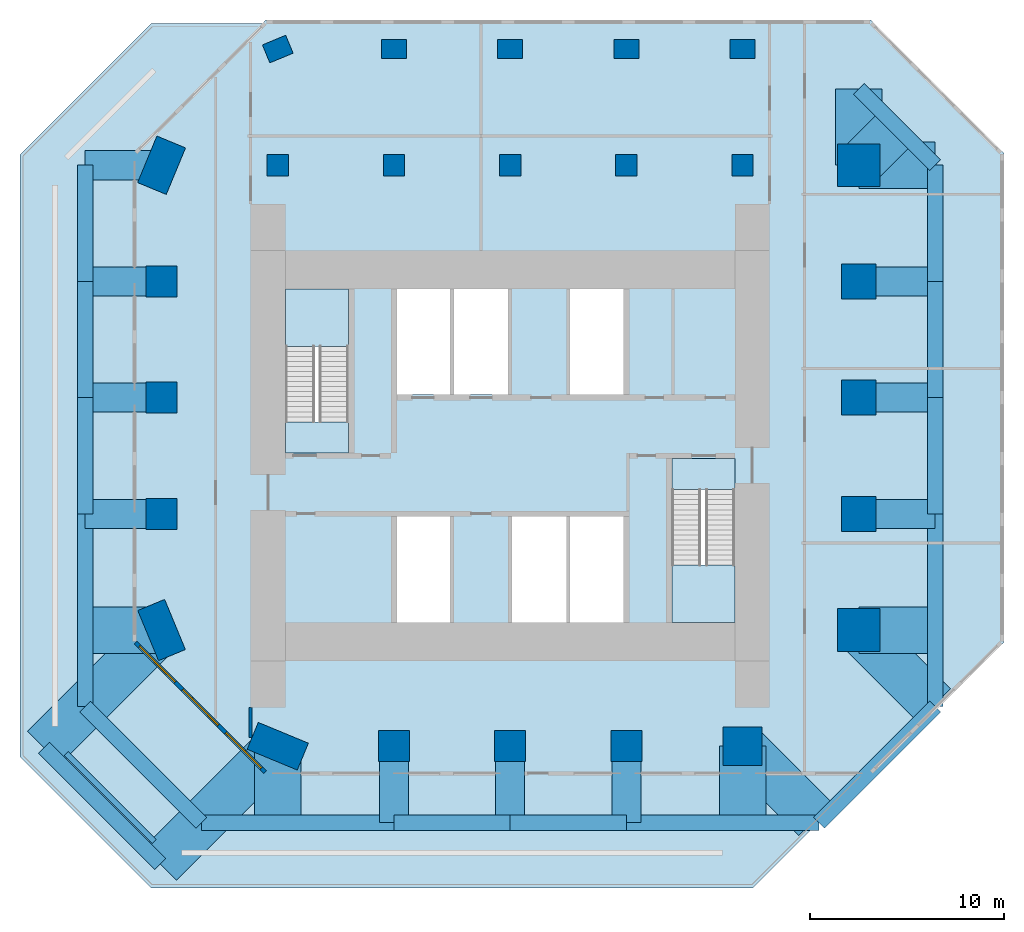
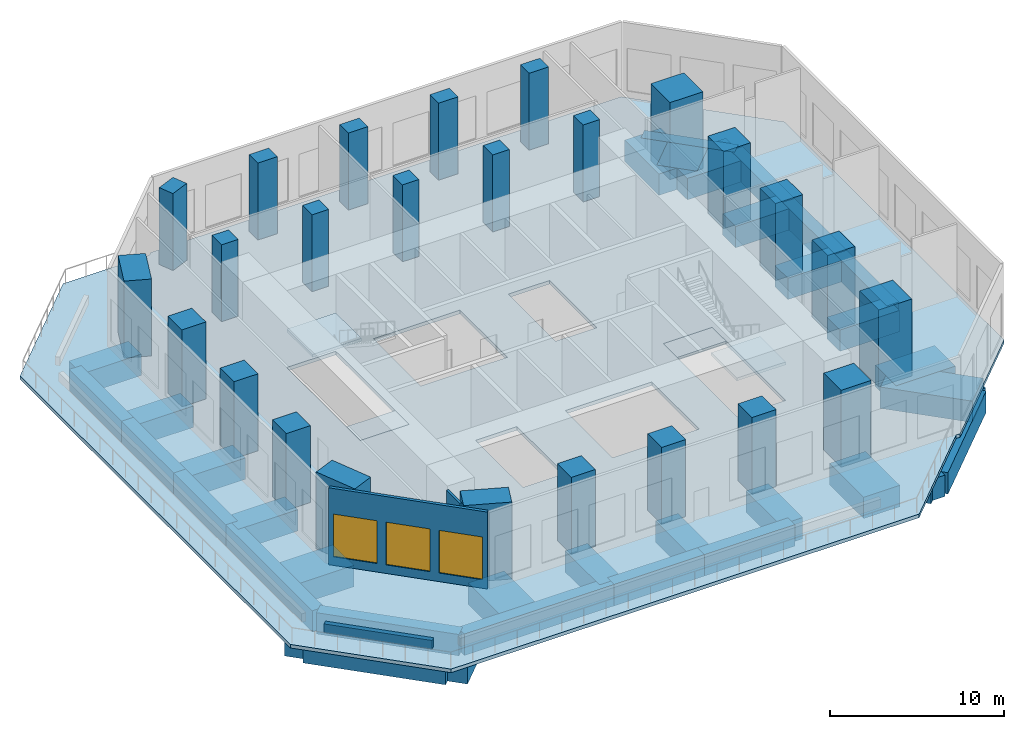
# One storey, part 1 of 6: 37 beams, 25 columns, 5 slabs, 3 walls, 3 windows, 3 openings, 2 elements without a shape of their own.
"""IFC4 building model written with IfcOpenShell, lengths in metres."""

from ifc_helpers import new_model, si_unit, direction, frame, frame_2d, origin, origin_2d, place, context, subcontext, project, spatial, polyline, rectangle, outline, extrude, material, layer, layer_set, material_profile, profile_set, type_object, element, fill, aggregate, save


model = new_model("IFC4")

# Units and contexts
model_context = context("Model", 3, precision=1e-05, world=origin(), true_north=direction((0.0, 1.0)))
body_context = subcontext(model_context, "Body", "Model", "MODEL_VIEW")
ifc_project = project(units=[si_unit("LENGTHUNIT", "METRE"), si_unit("AREAUNIT", "SQUARE_METRE"), si_unit("VOLUMEUNIT", "CUBIC_METRE"), si_unit("PLANEANGLEUNIT", "RADIAN"), si_unit("MASSUNIT", "GRAM", prefix="KILO")], contexts=[model_context])

# Site, building, storey
site_placement = place(None, origin())
site = spatial("IfcSite", under=ifc_project, at=site_placement, CompositionType="ELEMENT")
building_placement = place(site_placement, origin())
building = spatial("IfcBuilding", under=site, at=building_placement, Name="Highveld Stack Headquarters", CompositionType="ELEMENT")
storey_placement = place(building_placement, frame((0.0, 0.0, 239.60009765625)))
storey = spatial("IfcBuildingStorey", under=building, at=storey_placement, Name="L59", CompositionType="ELEMENT", Elevation=239.60009765625)

# Columns
ifc_material_1 = material(Name="Concrete C60/75", Category="concrete")
ifc_material_profile_1 = material_profile(ifc_material_1, rectangle(XDim=1.10009765625, YDim=1.10009765625, at=origin_2d()), Name="RC 1100x1100")
ifc_profile_set_1 = profile_set([ifc_material_profile_1], Name="Concrete C60/75")
column_type_1 = type_object("IfcColumnType", Name="COLUMN RC 1100x1100 C60/75", PredefinedType="COLUMN", material=ifc_profile_set_1)
for number, where, z_axis, x_axis, name in (
    (1, (-6.0, 18.0, 0.0), (0.0, 0.0, 1.0), (1.0, 0.0, 0.0), "Column 5/H L59"),
    (2, (0.0, 18.0, 0.0), (0.0, 0.0, 1.0), (1.0, 0.0, 0.0), "Column 6/H L59"),
    (3, (6.0, 18.0, 0.0), (0.0, 0.0, 1.0), (1.0, 0.0, 0.0), "Column 7/H L59"),
    (4, (12.0, 18.0, 0.0), (0.0, 0.0, 1.0), (1.0, 0.0, 0.0), "Column 8/H L59"),
    (5, (18.0, 18.0, 0.0), (0.0, 0.0, 1.0), (1.0, 0.0, 0.0), "Column 9/H L59"),
):
    element("IfcColumn", number, at=place(storey_placement, frame(where, z_axis=z_axis, x_axis=x_axis)), inside=storey, type_object=column_type_1, Name=name, PredefinedType="COLUMN", context=body_context, shape_type="SweptSolid", body=[
        extrude(rectangle(XDim=1.10009765625, YDim=1.10009765625, at=origin_2d()), origin(), (0.0, 0.0, 1.0), 5.39990234375),
    ])
ifc_material_2 = material(Name="Concrete C60/75", Category="concrete")
ifc_material_profile_2 = material_profile(ifc_material_2, rectangle(XDim=1.300048828125, YDim=1.0, at=origin_2d()), Name="RC 1300x1000")
ifc_profile_set_2 = profile_set([ifc_material_profile_2], Name="Concrete C60/75")
column_type_2 = type_object("IfcColumnType", Name="COLUMN RC 1300x1000 C60/75", PredefinedType="COLUMN", material=ifc_profile_set_2)
for number, where, z_axis, x_axis, name in (
    (6, (-6.0, 24.0, 0.0), (0.0, 0.0, 1.0), (0.923879532511, 0.382683432365, 0.0), "Column 5/J L59"),
    (7, (0.0, 24.0, 0.0), (0.0, 0.0, 1.0), (1.0, 0.0, 0.0), "Column 6/J L59"),
    (8, (6.0, 24.0, 0.0), (0.0, 0.0, 1.0), (1.0, 0.0, 0.0), "Column 7/J L59"),
    (9, (12.0, 24.0, 0.0), (0.0, 0.0, 1.0), (1.0, 0.0, 0.0), "Column 8/J L59"),
    (10, (18.0, 24.0, 0.0), (0.0, 0.0, 1.0), (1.0, 0.0, 0.0), "Column 9/J L59"),
):
    element("IfcColumn", number, at=place(storey_placement, frame(where, z_axis=z_axis, x_axis=x_axis)), inside=storey, type_object=column_type_2, Name=name, PredefinedType="COLUMN", context=body_context, shape_type="SweptSolid", body=[
        extrude(rectangle(XDim=1.300048828125, YDim=1.0, at=origin_2d()), origin(), (0.0, 0.0, 1.0), 5.39990234375),
    ])
ifc_material_3 = material(Name="Concrete C60/75", Category="concrete")
ifc_material_profile_3 = material_profile(ifc_material_3, rectangle(XDim=1.60009765625, YDim=1.60009765625, at=origin_2d()), Name="RC 1600x1600")
ifc_profile_set_3 = profile_set([ifc_material_profile_3], Name="Concrete C60/75")
column_type_3 = type_object("IfcColumnType", Name="COLUMN RC 1600x1600 C60/75", PredefinedType="COLUMN", material=ifc_profile_set_3)
for number, where, z_axis, x_axis, name in (
    (11, (-12.0, 0.0, 0.0), (0.0, 0.0, 1.0), (1.0, 0.0, 0.0), "Column 4/E L59"),
    (12, (-12.0, 6.0, 0.0), (0.0, 0.0, 1.0), (1.0, 0.0, 0.0), "Column 4/F L59"),
    (13, (-12.0, 12.0, 0.0), (0.0, 0.0, 1.0), (1.0, 0.0, 0.0), "Column 4/G L59"),
    (14, (0.0, -12.0, 0.0), (0.0, 0.0, 1.0), (1.0, 0.0, 0.0), "Column 6/C L59"),
    (15, (6.0, -12.0, 0.0), (0.0, 0.0, 1.0), (1.0, 0.0, 0.0), "Column 7/C L59"),
    (16, (12.0, -12.0, 0.0), (0.0, 0.0, 1.0), (1.0, 0.0, 0.0), "Column 8/C L59"),
):
    element("IfcColumn", number, at=place(storey_placement, frame(where, z_axis=z_axis, x_axis=x_axis)), inside=storey, type_object=column_type_3, Name=name, PredefinedType="COLUMN", context=body_context, shape_type="SweptSolid", body=[
        extrude(rectangle(XDim=1.60009765625, YDim=1.60009765625, at=origin_2d()), origin(), (0.0, 0.0, 1.0), 5.39990234375),
    ])
ifc_material_4 = material(Name="Concrete C60/75", Category="concrete")
ifc_material_profile_4 = material_profile(ifc_material_4, rectangle(XDim=1.800048828125, YDim=1.800048828125, at=origin_2d()), Name="RC 1800x1800")
ifc_profile_set_4 = profile_set([ifc_material_profile_4], Name="Concrete C60/75")
column_type_4 = type_object("IfcColumnType", Name="COLUMN RC 1800x1800 C60/75", PredefinedType="COLUMN", material=ifc_profile_set_4)
for number, where, z_axis, x_axis, name in (
    (17, (24.0, 0.0, 0.0), (0.0, 0.0, 1.0), (1.0, 0.0, 0.0), "Column 10/E L59"),
    (18, (24.0, 6.0, 0.0), (0.0, 0.0, 1.0), (1.0, 0.0, 0.0), "Column 10/F L59"),
    (19, (24.0, 12.0, 0.0), (0.0, 0.0, 1.0), (1.0, 0.0, 0.0), "Column 10/G L59"),
):
    element("IfcColumn", number, at=place(storey_placement, frame(where, z_axis=z_axis, x_axis=x_axis)), inside=storey, type_object=column_type_4, Name=name, PredefinedType="COLUMN", context=body_context, shape_type="SweptSolid", body=[
        extrude(rectangle(XDim=1.800048828125, YDim=1.800048828125, at=origin_2d()), origin(), (0.0, 0.0, 1.0), 5.39990234375),
    ])
ifc_material_5 = material(Name="Concrete C60/75", Category="concrete")
ifc_material_profile_5 = material_profile(ifc_material_5, rectangle(XDim=2.0, YDim=2.0, at=origin_2d()), Name="RC 2000x2000")
ifc_profile_set_5 = profile_set([ifc_material_profile_5], Name="Concrete C60/75")
column_type_5 = type_object("IfcColumnType", Name="COLUMN RC 2000x2000 C60/75", PredefinedType="COLUMN", material=ifc_profile_set_5)
column_1_placement = place(storey_placement, frame((18.0, -12.0, 0.0), z_axis=(0.0, 0.0, 1.0), x_axis=(1.0, 0.0, 0.0)))
element("IfcColumn", 20, at=column_1_placement, inside=storey, type_object=column_type_5, Name="Column 9/C L59", PredefinedType="COLUMN", context=body_context, shape_type="SweptSolid", body=[
    extrude(rectangle(XDim=2.0, YDim=2.0, at=origin_2d()), origin(), (0.0, 0.0, 1.0), 5.39990234375),
])
ifc_material_6 = material(Name="Concrete C60/75", Category="concrete")
ifc_material_profile_6 = material_profile(ifc_material_6, rectangle(XDim=2.199951171875, YDim=2.199951171875, at=origin_2d()), Name="RC 2200x2200")
ifc_profile_set_6 = profile_set([ifc_material_profile_6], Name="Concrete C60/75")
column_type_6 = type_object("IfcColumnType", Name="COLUMN RC 2200x2200 C60/75", PredefinedType="COLUMN", material=ifc_profile_set_6)
for number, where, z_axis, x_axis, name in (
    (21, (24.0, -6.0, 0.0), (0.0, 0.0, 1.0), (1.0, 0.0, 0.0), "Column 10/D L59"),
    (22, (24.0, 18.0, 0.0), (0.0, 0.0, 1.0), (1.0, 0.0, 0.0), "Column 10/H L59"),
):
    element("IfcColumn", number, at=place(storey_placement, frame(where, z_axis=z_axis, x_axis=x_axis)), inside=storey, type_object=column_type_6, Name=name, PredefinedType="COLUMN", context=body_context, shape_type="SweptSolid", body=[
        extrude(rectangle(XDim=2.199951171875, YDim=2.199951171875, at=origin_2d()), origin(), (0.0, 0.0, 1.0), 5.39990234375),
    ])
ifc_material_7 = material(Name="Concrete C60/75", Category="concrete")
ifc_material_profile_7 = material_profile(ifc_material_7, rectangle(XDim=2.60009765625, YDim=1.60009765625, at=origin_2d()), Name="RC 2600x1600")
ifc_profile_set_7 = profile_set([ifc_material_profile_7], Name="Concrete C60/75")
column_type_7 = type_object("IfcColumnType", Name="COLUMN RC 2600x1600 C60/75", PredefinedType="COLUMN", material=ifc_profile_set_7)
column_2_placement = place(storey_placement, frame((-12.0, 18.0, 0.0), z_axis=(0.0, 0.0, 1.0), x_axis=(0.382683432365, 0.923879532511, 0.0)))
element("IfcColumn", 23, at=column_2_placement, inside=storey, type_object=column_type_7, Name="Column 4/H L59", PredefinedType="COLUMN", context=body_context, shape_type="SweptSolid", body=[
    extrude(rectangle(XDim=2.60009765625, YDim=1.60009765625, at=origin_2d()), origin(), (0.0, 0.0, 1.0), 5.39990234375),
])
ifc_material_8 = material(Name="Concrete C60/75", Category="concrete")
ifc_material_profile_8 = material_profile(ifc_material_8, rectangle(XDim=2.800048828125, YDim=1.5, at=origin_2d()), Name="RC 2800x1500")
ifc_profile_set_8 = profile_set([ifc_material_profile_8], Name="Concrete C60/75")
column_type_8 = type_object("IfcColumnType", Name="COLUMN RC 2800x1500 C60/75", PredefinedType="COLUMN", material=ifc_profile_set_8)
for number, where, z_axis, x_axis, name in (
    (24, (-12.0, -6.0, 0.0), (0.0, 0.0, 1.0), (-0.382683432365, 0.923879532511, 0.0), "Column 4/D L59"),
    (25, (-6.0, -12.0, 0.0), (0.0, 0.0, 1.0), (-0.923879532511, 0.382683432365, 0.0), "Column 5/C L59"),
):
    element("IfcColumn", number, at=place(storey_placement, frame(where, z_axis=z_axis, x_axis=x_axis)), inside=storey, type_object=column_type_8, Name=name, PredefinedType="COLUMN", context=body_context, shape_type="SweptSolid", body=[
        extrude(rectangle(XDim=2.800048828125, YDim=1.5, at=origin_2d()), origin(), (0.0, 0.0, 1.0), 5.39990234375),
    ])

# Beams
ifc_material_9 = material(Name="Concrete C60/75", Category="concrete")
ifc_material_profile_9 = material_profile(ifc_material_9, rectangle(XDim=1.5, YDim=1.5, at=origin_2d()), Name="RC 1500x1500")
ifc_profile_set_9 = profile_set([ifc_material_profile_9], Name="Concrete C60/75")
beam_type_1 = type_object("IfcBeamType", Name="CANTILEVER RIB RC 1500x1500", PredefinedType="USERDEFINED", material=ifc_profile_set_9)
for number, where, z_axis, x_axis, name in (
    (26, (-12.0, 0.0, -1.0), (-1.0, 0.0, 0.0), (0.0, -1.0, 0.0), "Cantilever rib 4/E L59"),
    (27, (-12.0, 6.0, -1.0), (-1.0, 0.0, 0.0), (0.0, -1.0, 0.0), "Cantilever rib 4/F L59"),
    (28, (-12.0, 12.0, -1.0), (-1.0, 0.0, 0.0), (0.0, -1.0, 0.0), "Cantilever rib 4/G L59"),
    (29, (-12.0, 18.0, -1.0), (-1.0, 0.0, 0.0), (0.0, -1.0, 0.0), "Cantilever rib 4/H L59"),
    (30, (0.0, -12.0, -1.0), (0.0, -1.0, 0.0), (1.0, 0.0, 0.0), "Cantilever rib 6/C L59"),
    (31, (6.0, -12.0, -1.0), (0.0, -1.0, 0.0), (1.0, 0.0, 0.0), "Cantilever rib 7/C L59"),
    (32, (12.0, -12.0, -1.0), (0.0, -1.0, 0.0), (1.0, 0.0, 0.0), "Cantilever rib 8/C L59"),
    (33, (24.0, 0.0, -1.0), (1.0, 0.0, 0.0), (0.0, 1.0, 0.0), "Cantilever rib 10/E L59"),
    (34, (24.0, 6.0, -1.0), (1.0, 0.0, 0.0), (0.0, 1.0, 0.0), "Cantilever rib 10/F L59"),
    (35, (24.0, 12.0, -1.0), (1.0, 0.0, 0.0), (0.0, 1.0, 0.0), "Cantilever rib 10/G L59"),
):
    element("IfcBeam", number, at=place(storey_placement, frame(where, z_axis=z_axis, x_axis=x_axis)), inside=storey, type_object=beam_type_1, Name=name, ObjectType="CANTILEVER RIB", PredefinedType="USERDEFINED", context=body_context, shape_type="SweptSolid", body=[
        extrude(rectangle(XDim=1.5, YDim=1.5, at=origin_2d()), origin(), (0.0, 0.0, 1.0), 3.949951171875),
    ])
ifc_material_10 = material(Name="Concrete C60/75", Category="concrete")
ifc_material_profile_10 = material_profile(ifc_material_10, rectangle(XDim=2.39990234375, YDim=1.5, at=origin_2d()), Name="RC 2400x1500")
ifc_profile_set_10 = profile_set([ifc_material_profile_10], Name="Concrete C60/75")
beam_type_2 = type_object("IfcBeamType", Name="CANTILEVER RIB RC 2400x1500", PredefinedType="USERDEFINED", material=ifc_profile_set_10)
beam_1_placement = place(storey_placement, frame((-12.0, -6.0, -1.0), z_axis=(-1.0, 0.0, 0.0), x_axis=(0.0, -1.0, 0.0)))
element("IfcBeam", 36, at=beam_1_placement, inside=storey, type_object=beam_type_2, Name="Cantilever rib 4/D L59", ObjectType="CANTILEVER RIB", PredefinedType="USERDEFINED", context=body_context, shape_type="SweptSolid", body=[
    extrude(rectangle(XDim=2.39990234375, YDim=1.5, at=origin_2d()), origin(), (0.0, 0.0, 1.0), 3.949951171875),
])
beam_2_placement = place(storey_placement, frame((-12.0, -6.0, -1.0), z_axis=(-0.707106781187, -0.707106781187, 0.0), x_axis=(0.707106781187, -0.707106781187, 0.0)))
element("IfcBeam", 37, at=beam_2_placement, inside=storey, type_object=beam_type_2, Name="Cantilever rib 4/D L59", ObjectType="CANTILEVER RIB", PredefinedType="USERDEFINED", context=body_context, shape_type="SweptSolid", body=[
    extrude(rectangle(XDim=2.39990234375, YDim=1.5, at=origin_2d()), origin(), (0.0, 0.0, 1.0), 8.585693359375),
])
beam_3_placement = place(storey_placement, frame((-6.0, -12.0, -1.0), z_axis=(0.0, -1.0, 0.0), x_axis=(1.0, 0.0, 0.0)))
element("IfcBeam", 38, at=beam_3_placement, inside=storey, type_object=beam_type_2, Name="Cantilever rib 5/C L59", ObjectType="CANTILEVER RIB", PredefinedType="USERDEFINED", context=body_context, shape_type="SweptSolid", body=[
    extrude(rectangle(XDim=2.39990234375, YDim=1.5, at=origin_2d()), origin(), (0.0, 0.0, 1.0), 3.949951171875),
])
beam_4_placement = place(storey_placement, frame((-6.0, -12.0, -1.0), z_axis=(-0.707106781187, -0.707106781187, 0.0), x_axis=(0.707106781187, -0.707106781187, 0.0)))
element("IfcBeam", 39, at=beam_4_placement, inside=storey, type_object=beam_type_2, Name="Cantilever rib 5/C L59", ObjectType="CANTILEVER RIB", PredefinedType="USERDEFINED", context=body_context, shape_type="SweptSolid", body=[
    extrude(rectangle(XDim=2.39990234375, YDim=1.5, at=origin_2d()), origin(), (0.0, 0.0, 1.0), 8.585693359375),
])
beam_5_placement = place(storey_placement, frame((18.0, -12.0, -1.0), z_axis=(0.0, -1.0, 0.0), x_axis=(1.0, 0.0, 0.0)))
element("IfcBeam", 40, at=beam_5_placement, inside=storey, type_object=beam_type_2, Name="Cantilever rib 9/C L59", ObjectType="CANTILEVER RIB", PredefinedType="USERDEFINED", context=body_context, shape_type="SweptSolid", body=[
    extrude(rectangle(XDim=2.39990234375, YDim=1.5, at=origin_2d()), origin(), (0.0, 0.0, 1.0), 3.949951171875),
])
beam_6_placement = place(storey_placement, frame((18.0, -12.0, -1.0), z_axis=(0.707106781187, -0.707106781187, 0.0), x_axis=(0.707106781187, 0.707106781187, 0.0)))
element("IfcBeam", 41, at=beam_6_placement, inside=storey, type_object=beam_type_2, Name="Cantilever rib 9/C L59", ObjectType="CANTILEVER RIB", PredefinedType="USERDEFINED", context=body_context, shape_type="SweptSolid", body=[
    extrude(rectangle(XDim=2.39990234375, YDim=1.5, at=origin_2d()), origin(), (0.0, 0.0, 1.0), 5.30322265625),
])
beam_7_placement = place(storey_placement, frame((24.0, -6.0, -1.0), z_axis=(1.0, 0.0, 0.0), x_axis=(0.0, 1.0, 0.0)))
element("IfcBeam", 42, at=beam_7_placement, inside=storey, type_object=beam_type_2, Name="Cantilever rib 10/D L59", ObjectType="CANTILEVER RIB", PredefinedType="USERDEFINED", context=body_context, shape_type="SweptSolid", body=[
    extrude(rectangle(XDim=2.39990234375, YDim=1.5, at=origin_2d()), origin(), (0.0, 0.0, 1.0), 3.949951171875),
])
beam_8_placement = place(storey_placement, frame((24.0, -6.0, -1.0), z_axis=(0.707106781187, -0.707106781187, 0.0), x_axis=(0.707106781187, 0.707106781187, 0.0)))
element("IfcBeam", 43, at=beam_8_placement, inside=storey, type_object=beam_type_2, Name="Cantilever rib 10/D L59", ObjectType="CANTILEVER RIB", PredefinedType="USERDEFINED", context=body_context, shape_type="SweptSolid", body=[
    extrude(rectangle(XDim=2.39990234375, YDim=1.5, at=origin_2d()), origin(), (0.0, 0.0, 1.0), 5.492919921875),
])
for number, where, z_axis, x_axis, name in (
    (44, (24.0, 18.0, -1.0), (1.0, 0.0, 0.0), (0.0, 1.0, 0.0), "Cantilever rib 10/H L59"),
    (45, (24.0, 18.0, -1.0), (0.0, 1.0, 0.0), (-1.0, 0.0, 0.0), "Cantilever rib 10/H L59"),
):
    element("IfcBeam", number, at=place(storey_placement, frame(where, z_axis=z_axis, x_axis=x_axis)), inside=storey, type_object=beam_type_2, Name=name, ObjectType="CANTILEVER RIB", PredefinedType="USERDEFINED", context=body_context, shape_type="SweptSolid", body=[
        extrude(rectangle(XDim=2.39990234375, YDim=1.5, at=origin_2d()), origin(), (0.0, 0.0, 1.0), 3.949951171875),
    ])
beam_9_placement = place(storey_placement, frame((24.0, 18.0, -1.0), z_axis=(0.707106781187, 0.707106781187, 0.0), x_axis=(-0.707106781187, 0.707106781187, 0.0)))
element("IfcBeam", 46, at=beam_9_placement, inside=storey, type_object=beam_type_2, Name="Cantilever rib 10/H L59", ObjectType="CANTILEVER RIB", PredefinedType="USERDEFINED", context=body_context, shape_type="SweptSolid", body=[
    extrude(rectangle(XDim=2.39990234375, YDim=1.5, at=origin_2d()), origin(), (0.0, 0.0, 1.0), 2.793212890625),
])
ifc_material_11 = material(Name="Concrete C60/75", Category="concrete")
ifc_material_profile_11 = material_profile(ifc_material_11, rectangle(XDim=0.800048828125, YDim=1.5, at=origin_2d()), Name="RC 800x1500")
ifc_profile_set_11 = profile_set([ifc_material_profile_11], Name="Concrete C60/75")
beam_type_3 = type_object("IfcBeamType", Name="RIB TIP BEAM RC 800x1500", PredefinedType="SPANDREL", material=ifc_profile_set_11)
beam_10_placement = place(storey_placement, frame((-15.949951171875, -9.949951171875, -1.0), z_axis=(0.0, 1.0, 0.0), x_axis=(-1.0, 0.0, 0.0)))
element("IfcBeam", 47, at=beam_10_placement, inside=storey, type_object=beam_type_3, Name="Rib tip beam 4/D to 4/E L59", PredefinedType="SPANDREL", context=body_context, shape_type="SweptSolid", body=[
    extrude(rectangle(XDim=0.800048828125, YDim=1.5, at=origin_2d()), origin(), (0.0, 0.0, 1.0), 9.949951171875),
])
for number, where, z_axis, x_axis, name in (
    (48, (-15.949951171875, 0.0, -1.0), (0.0, 1.0, 0.0), (-1.0, 0.0, 0.0), "Rib tip beam 4/E to 4/F L59"),
    (49, (-15.949951171875, 6.0, -1.0), (0.0, 1.0, 0.0), (-1.0, 0.0, 0.0), "Rib tip beam 4/F to 4/G L59"),
    (50, (-15.949951171875, 12.0, -1.0), (0.0, 1.0, 0.0), (-1.0, 0.0, 0.0), "Rib tip beam 4/G to 4/H L59"),
):
    element("IfcBeam", number, at=place(storey_placement, frame(where, z_axis=z_axis, x_axis=x_axis)), inside=storey, type_object=beam_type_3, Name=name, PredefinedType="SPANDREL", context=body_context, shape_type="SweptSolid", body=[
        extrude(rectangle(XDim=0.800048828125, YDim=1.5, at=origin_2d()), origin(), (0.0, 0.0, 1.0), 6.0),
    ])
beam_11_placement = place(storey_placement, frame((27.949951171875, -9.949951171875, -1.0), z_axis=(0.0, 1.0, 0.0), x_axis=(-1.0, 0.0, 0.0)))
element("IfcBeam", 51, at=beam_11_placement, inside=storey, type_object=beam_type_3, Name="Rib tip beam 10/D to 10/E L59", PredefinedType="SPANDREL", context=body_context, shape_type="SweptSolid", body=[
    extrude(rectangle(XDim=0.800048828125, YDim=1.5, at=origin_2d()), origin(), (0.0, 0.0, 1.0), 9.949951171875),
])
for number, where, z_axis, x_axis, name in (
    (52, (27.949951171875, 0.0, -1.0), (0.0, 1.0, 0.0), (-1.0, 0.0, 0.0), "Rib tip beam 10/E to 10/F L59"),
    (53, (27.949951171875, 6.0, -1.0), (0.0, 1.0, 0.0), (-1.0, 0.0, 0.0), "Rib tip beam 10/F to 10/G L59"),
    (54, (27.949951171875, 12.0, -1.0), (0.0, 1.0, 0.0), (-1.0, 0.0, 0.0), "Rib tip beam 10/G to 10/H L59"),
):
    element("IfcBeam", number, at=place(storey_placement, frame(where, z_axis=z_axis, x_axis=x_axis)), inside=storey, type_object=beam_type_3, Name=name, PredefinedType="SPANDREL", context=body_context, shape_type="SweptSolid", body=[
        extrude(rectangle(XDim=0.800048828125, YDim=1.5, at=origin_2d()), origin(), (0.0, 0.0, 1.0), 6.0),
    ])
beam_12_placement = place(storey_placement, frame((-9.949951171875, -15.949951171875, -1.0), z_axis=(1.0, 0.0, 0.0), x_axis=(0.0, 1.0, 0.0)))
element("IfcBeam", 55, at=beam_12_placement, inside=storey, type_object=beam_type_3, Name="Rib tip beam 5/C to 6/C L59", PredefinedType="SPANDREL", context=body_context, shape_type="SweptSolid", body=[
    extrude(rectangle(XDim=0.800048828125, YDim=1.5, at=origin_2d()), origin(), (0.0, 0.0, 1.0), 9.949951171875),
])
for number, where, z_axis, x_axis, name in (
    (56, (0.0, -15.949951171875, -1.0), (1.0, 0.0, 0.0), (0.0, 1.0, 0.0), "Rib tip beam 6/C to 7/C L59"),
    (57, (6.0, -15.949951171875, -1.0), (1.0, 0.0, 0.0), (0.0, 1.0, 0.0), "Rib tip beam 7/C to 8/C L59"),
):
    element("IfcBeam", number, at=place(storey_placement, frame(where, z_axis=z_axis, x_axis=x_axis)), inside=storey, type_object=beam_type_3, Name=name, PredefinedType="SPANDREL", context=body_context, shape_type="SweptSolid", body=[
        extrude(rectangle(XDim=0.800048828125, YDim=1.5, at=origin_2d()), origin(), (0.0, 0.0, 1.0), 6.0),
    ])
beam_13_placement = place(storey_placement, frame((12.0, -15.949951171875, -1.0), z_axis=(1.0, 0.0, 0.0), x_axis=(0.0, 1.0, 0.0)))
element("IfcBeam", 58, at=beam_13_placement, inside=storey, type_object=beam_type_3, Name="Rib tip beam 8/C to 9/C L59", PredefinedType="SPANDREL", context=body_context, shape_type="SweptSolid", body=[
    extrude(rectangle(XDim=0.800048828125, YDim=1.5, at=origin_2d()), origin(), (0.0, 0.0, 1.0), 9.949951171875),
])
for number, where, z_axis, x_axis, name in (
    (59, (-15.949951171875, -9.949951171875, -1.0), (0.707106781187, -0.707106781187, 0.0), (0.707106781187, 0.707106781187, 0.0), "Rib tip beam 4/D to 5/C chamfer L59"),
    (60, (-18.071044921875, -12.071044921875, -1.0), (0.707106781187, -0.707106781187, 0.0), (0.707106781187, 0.707106781187, 0.0), "Rib tip beam 4/D to 5/C chamfer edge L59"),
    (61, (21.949951171875, -15.949951171875, -1.0), (0.707106781187, 0.707106781187, 0.0), (-0.707106781187, 0.707106781187, 0.0), "Rib tip beam 9/C to 10/D chamfer L59"),
):
    element("IfcBeam", number, at=place(storey_placement, frame(where, z_axis=z_axis, x_axis=x_axis)), inside=storey, type_object=beam_type_3, Name=name, PredefinedType="SPANDREL", context=body_context, shape_type="SweptSolid", body=[
        extrude(rectangle(XDim=0.800048828125, YDim=1.5, at=origin_2d()), origin(), (0.0, 0.0, 1.0), 8.4853515625),
    ])
beam_14_placement = place(storey_placement, frame((27.949951171875, 18.0, -1.0), z_axis=(-0.707106781187, 0.707106781187, 0.0), x_axis=(-0.707106781187, -0.707106781187, 0.0)))
element("IfcBeam", 62, at=beam_14_placement, inside=storey, type_object=beam_type_3, Name="Rib tip beam 10/H corner L59", PredefinedType="SPANDREL", context=body_context, shape_type="SweptSolid", body=[
    extrude(rectangle(XDim=0.800048828125, YDim=1.5, at=origin_2d()), origin(), (0.0, 0.0, 1.0), 5.586181640625),
])

# Slab
ifc_material_12 = material(Name="Concrete C60/75", Category="concrete")
ifc_layer_1 = layer(ifc_material_12, 0.25)
ifc_layer_set_1 = layer_set([ifc_layer_1], Name="Concrete C60/75")
slab_type_1 = type_object("IfcSlabType", Name="PT FLAT SLAB 250", PredefinedType="FLOOR", material=ifc_layer_set_1)
slab_1_placement = place(storey_placement, frame((0.0, 0.0, -0.25)))
element("IfcSlab", 63, at=slab_1_placement, inside=storey, type_object=slab_type_1, Name="Floor slab L59", PredefinedType="FLOOR", context=body_context, shape_type="SweptSolid", body=[
    extrude(outline(polyline([(-6.621337890625, 25.5), (24.621337890625, 25.5), (31.5, 18.621337890625), (31.5, -6.621337890625), (24.621337890625, -13.5), (24.3525390625, -13.5), (18.54248046875, -19.31005859375), (-12.54248046875, -19.31005859375), (-19.31005859375, -12.54248046875), (-19.31005859375, 18.54248046875), (-12.54248046875, 25.31005859375), (-6.811279296875, 25.31005859375), (-6.621337890625, 25.5)]), holes=[polyline([(0.14990234375, 6.14990234375), (5.89990234375, 6.14990234375), (5.89990234375, 11.60009765625), (0.14990234375, 11.60009765625), (0.14990234375, 6.14990234375)]), polyline([(9.10009765625, 6.14990234375), (11.85009765625, 6.14990234375), (11.85009765625, 11.60009765625), (9.10009765625, 11.60009765625), (9.10009765625, 6.14990234375)]), polyline([(6.10009765625, -5.60009765625), (11.85009765625, -5.60009765625), (11.85009765625, -0.14990234375), (6.10009765625, -0.14990234375), (6.10009765625, -5.60009765625)]), polyline([(0.14990234375, -5.60009765625), (2.89990234375, -5.60009765625), (2.89990234375, -0.14990234375), (0.14990234375, -0.14990234375), (0.14990234375, -5.60009765625)]), polyline([(-5.60009765625, 3.14990234375), (-2.35009765625, 3.14990234375), (-2.35009765625, 11.60009765625), (-5.60009765625, 11.60009765625), (-5.60009765625, 3.14990234375)]), polyline([(14.35009765625, -5.60009765625), (17.60009765625, -5.60009765625), (17.60009765625, 2.85009765625), (14.35009765625, 2.85009765625), (14.35009765625, -5.60009765625)])]), origin(), (0.0, 0.0, 1.0), 0.25),
])

# Stair, slabs
ifc_material_13 = material(Name="Concrete C40/50, precast", Category="concrete")
stair_type_1 = type_object("IfcStairType", Name="STAIR S1 HALF TURN 1500", PredefinedType="HALF_TURN_STAIR", material=ifc_material_13)
stair_1_placement = place(storey_placement, origin())
stair_1 = element("IfcStair", 64, at=stair_1_placement, inside=storey, type_object=stair_type_1, Name="Stair S1 L59", PredefinedType="HALF_TURN_STAIR")
ifc_material_14 = material(Name="Concrete C40/50, precast", Category="concrete")
ifc_layer_2 = layer(ifc_material_14, 0.199951171875)
ifc_layer_set_2 = layer_set([ifc_layer_2], Name="Concrete C40/50, precast")
slab_type_2 = type_object("IfcSlabType", Name="STAIR LANDING 200", PredefinedType="LANDING", material=ifc_layer_set_2)
slab_2_placement = place(storey_placement, frame((0.0, 0.0, 2.5)))
slab_2 = element("IfcSlab", 65, at=slab_2_placement, type_object=slab_type_2, Name="S1 landing 1", PredefinedType="LANDING", context=body_context, shape_type="SweptSolid", body=[
    extrude(outline(polyline([(-5.60009765625, 8.64990234375), (-2.35009765625, 8.64990234375), (-2.35009765625, 11.60009765625), (-5.60009765625, 11.60009765625), (-5.60009765625, 8.64990234375)])), origin(), (0.0, 0.0, 1.0), 0.199951171875),
])
slab_3_placement = place(storey_placement, frame((0.0, 0.0, -0.2001953125)))
slab_3 = element("IfcSlab", 66, at=slab_3_placement, type_object=slab_type_2, Name="S1 landing 2", PredefinedType="LANDING", context=body_context, shape_type="SweptSolid", body=[
    extrude(outline(polyline([(-5.60009765625, 3.14990234375), (-2.35009765625, 3.14990234375), (-2.35009765625, 4.75), (-5.60009765625, 4.75), (-5.60009765625, 3.14990234375)])), origin(), (0.0, 0.0, 1.0), 0.2001953125),
])
aggregate(stair_1, [slab_2, slab_3])

ifc_material_15 = material(Name="Concrete C40/50, precast", Category="concrete")
stair_type_2 = type_object("IfcStairType", Name="STAIR S2 HALF TURN 1500", PredefinedType="HALF_TURN_STAIR", material=ifc_material_15)
stair_2_placement = place(storey_placement, origin())
stair_2 = element("IfcStair", 67, at=stair_2_placement, inside=storey, type_object=stair_type_2, Name="Stair S2 L59", PredefinedType="HALF_TURN_STAIR")
slab_4_placement = place(storey_placement, frame((0.0, 0.0, 2.5)))
slab_4 = element("IfcSlab", 68, at=slab_4_placement, type_object=slab_type_2, Name="S2 landing 1", PredefinedType="LANDING", context=body_context, shape_type="SweptSolid", body=[
    extrude(outline(polyline([(14.35009765625, -5.60009765625), (17.60009765625, -5.60009765625), (17.60009765625, -2.64990234375), (14.35009765625, -2.64990234375), (14.35009765625, -5.60009765625)])), origin(), (0.0, 0.0, 1.0), 0.199951171875),
])
slab_5_placement = place(storey_placement, frame((0.0, 0.0, -0.2001953125)))
slab_5 = element("IfcSlab", 69, at=slab_5_placement, type_object=slab_type_2, Name="S2 landing 2", PredefinedType="LANDING", context=body_context, shape_type="SweptSolid", body=[
    extrude(outline(polyline([(14.35009765625, 1.25), (17.60009765625, 1.25), (17.60009765625, 2.85009765625), (14.35009765625, 2.85009765625), (14.35009765625, 1.25)])), origin(), (0.0, 0.0, 1.0), 0.2001953125),
])
aggregate(stair_2, [slab_4, slab_5])

# Walls
ifc_material_16 = material(Name="Concrete blockwork, plastered", Category="masonry")
ifc_layer_3 = layer(ifc_material_16, 0.14990234375)
ifc_layer_set_3 = layer_set([ifc_layer_3], Name="Concrete blockwork, plastered")
wall_type_1 = type_object("IfcWallType", Name="FIRE PARTITION 150 BLOCKWORK", PredefinedType="PARTITIONING", material=ifc_layer_set_3)
wall_1_placement = place(storey_placement, frame((-7.39990234375, -11.54052734375, 0.0), z_axis=(0.0, 0.0, 1.0), x_axis=(0.0, 1.0, 0.0)))
element("IfcWall", 70, at=wall_1_placement, inside=storey, type_object=wall_type_1, Name="Partition office neighbourhood L59", PredefinedType="PARTITIONING", context=body_context, shape_type="SweptSolid", body=[
    extrude(rectangle(XDim=1.54052734375, YDim=0.14990234375, at=frame_2d((0.770263671875, 0.0))), origin(), (0.0, 0.0, 1.0), 5.14990234375),
])
ifc_material_17 = material(Name="Concrete C40/50, precast planter", Category="concrete")
ifc_layer_4 = layer(ifc_material_17, 0.300048828125)
ifc_layer_set_4 = layer_set([ifc_layer_4], Name="Concrete C40/50, precast planter")
wall_type_2 = type_object("IfcWallType", Name="PLANTER WALL PL1 300", PredefinedType="USERDEFINED", material=ifc_layer_set_4)
wall_2_placement = place(storey_placement, frame((-12.370361328125, -16.922607421875, 0.0), z_axis=(0.0, 0.0, 1.0), x_axis=(-0.707106781187, 0.707106781187, 0.0)))
element("IfcWall", 71, at=wall_2_placement, inside=storey, type_object=wall_type_2, Name="Planter L59 1.3", ObjectType="PLANTER", PredefinedType="USERDEFINED", context=body_context, shape_type="SweptSolid", body=[
    extrude(rectangle(XDim=6.437744140625, YDim=0.300048828125, at=frame_2d((3.21875, 0.0))), origin(), (0.0, 0.0, 1.0), 0.599853515625),
])

# Wall, openings, windows
ifc_material_18 = material(Name="Concrete C40/50, precast cladding", Category="concrete")
ifc_layer_5 = layer(ifc_material_18, 0.199951171875)
ifc_layer_set_5 = layer_set([ifc_layer_5], Name="Concrete C40/50, precast cladding")
wall_type_3 = type_object("IfcWallType", Name="PRECAST LOUVRE WALL 200", PredefinedType="USERDEFINED", material=ifc_layer_set_5)
wall_3_placement = place(storey_placement, frame((-13.329345703125, -6.650634765625, 0.0), z_axis=(0.0, 0.0, 1.0), x_axis=(0.707106781187, -0.707106781187, 0.0)))
wall_3 = element("IfcWall", 72, at=wall_3_placement, inside=storey, type_object=wall_type_3, Name="Precast louvre wall L59 SW", ObjectType="PRECAST CLADDING", PredefinedType="USERDEFINED", context=body_context, shape_type="SweptSolid", body=[
    extrude(rectangle(XDim=9.445068359375, YDim=0.199951171875, at=frame_2d((4.72265625, 0.0))), origin(), (0.0, 0.0, 1.0), 5.39990234375),
])
opening_1_placement = place(wall_3_placement, frame((0.274169921875, 0.0, 0.60009765625)))
opening_1 = element("IfcOpeningElement", 73, at=opening_1_placement, cuts=wall_3, Name="Opening L2", PredefinedType="OPENING", context=body_context, shape_type="SweptSolid", body=[
    extrude(rectangle(XDim=2.60009765625, YDim=3.0, at=frame_2d((1.300048828125, 1.5))), frame((0.0, 0.10986328125, 0.0), z_axis=(0.0, -1.0, 0.0), x_axis=(1.0, 0.0, 0.0)), (0.0, 0.0, 1.0), 0.219970703125),
])
opening_2_placement = place(wall_3_placement, frame((3.422607421875, 0.0, 0.60009765625)))
opening_2 = element("IfcOpeningElement", 74, at=opening_2_placement, cuts=wall_3, Name="Opening L2", PredefinedType="OPENING", context=body_context, shape_type="SweptSolid", body=[
    extrude(rectangle(XDim=2.60009765625, YDim=3.0, at=frame_2d((1.300048828125, 1.5))), frame((0.0, 0.10986328125, 0.0), z_axis=(0.0, -1.0, 0.0), x_axis=(1.0, 0.0, 0.0)), (0.0, 0.0, 1.0), 0.219970703125),
])
opening_3_placement = place(wall_3_placement, frame((6.57080078125, 0.0, 0.60009765625)))
opening_3 = element("IfcOpeningElement", 75, at=opening_3_placement, cuts=wall_3, Name="Opening L2", PredefinedType="OPENING", context=body_context, shape_type="SweptSolid", body=[
    extrude(rectangle(XDim=2.60009765625, YDim=3.0, at=frame_2d((1.300048828125, 1.5))), frame((0.0, 0.10986328125, 0.0), z_axis=(0.0, -1.0, 0.0), x_axis=(1.0, 0.0, 0.0)), (0.0, 0.0, 1.0), 0.219970703125),
])
ifc_material_19 = material(Name="Aluminium bronze anodised", Category="aluminium")
window_type = type_object("IfcWindowType", Name="LOUVRE L2 2400x3000 CHAMFER", PartitioningType="SINGLE_PANEL", PredefinedType="USERDEFINED", material=ifc_material_19)
window_1_placement = place(opening_1_placement, origin())
window_1 = element("IfcWindow", 76, at=window_1_placement, inside=storey, type_object=window_type, Name="Louvre L59 SW 1", ObjectType="LOUVRE", OverallHeight=3.0, OverallWidth=2.60009765625, PartitioningType="SINGLE_PANEL", PredefinedType="USERDEFINED", context=body_context, shape_type="SweptSolid", body=[
    extrude(rectangle(XDim=2.60009765625, YDim=3.0, at=frame_2d((1.300048828125, 1.5))), frame((0.0, 0.030029296875, 0.0), z_axis=(0.0, -1.0, 0.0), x_axis=(1.0, 0.0, 0.0)), (0.0, 0.0, 1.0), 0.06005859375),
])
fill(opening_1, window_1)
window_2_placement = place(opening_2_placement, origin())
window_2 = element("IfcWindow", 77, at=window_2_placement, inside=storey, type_object=window_type, Name="Louvre L59 SW 2", ObjectType="LOUVRE", OverallHeight=3.0, OverallWidth=2.60009765625, PartitioningType="SINGLE_PANEL", PredefinedType="USERDEFINED", context=body_context, shape_type="SweptSolid", body=[
    extrude(rectangle(XDim=2.60009765625, YDim=3.0, at=frame_2d((1.300048828125, 1.5))), frame((0.0, 0.030029296875, 0.0), z_axis=(0.0, -1.0, 0.0), x_axis=(1.0, 0.0, 0.0)), (0.0, 0.0, 1.0), 0.06005859375),
])
fill(opening_2, window_2)
window_3_placement = place(opening_3_placement, origin())
window_3 = element("IfcWindow", 78, at=window_3_placement, inside=storey, type_object=window_type, Name="Louvre L59 SW 3", ObjectType="LOUVRE", OverallHeight=3.0, OverallWidth=2.60009765625, PartitioningType="SINGLE_PANEL", PredefinedType="USERDEFINED", context=body_context, shape_type="SweptSolid", body=[
    extrude(rectangle(XDim=2.60009765625, YDim=3.0, at=frame_2d((1.300048828125, 1.5))), frame((0.0, 0.030029296875, 0.0), z_axis=(0.0, -1.0, 0.0), x_axis=(1.0, 0.0, 0.0)), (0.0, 0.0, 1.0), 0.06005859375),
])
fill(opening_3, window_3)

save(model, "model.ifc")
